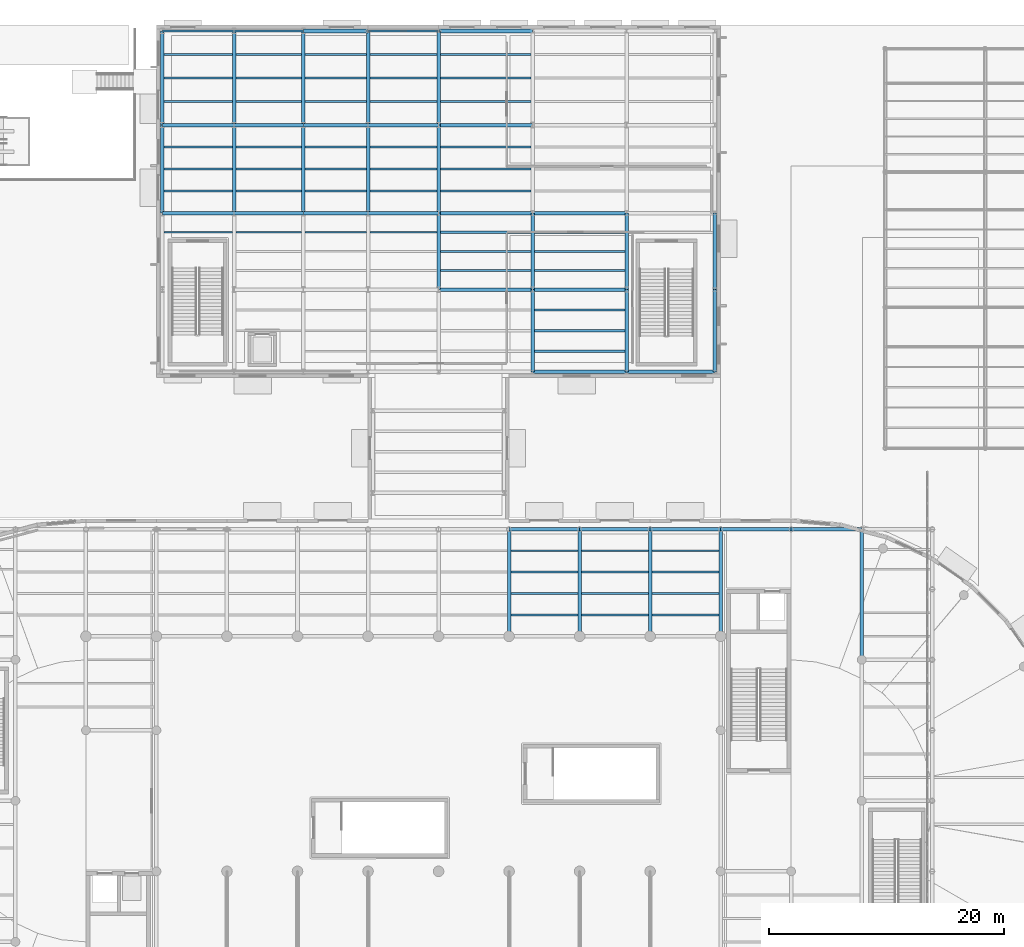
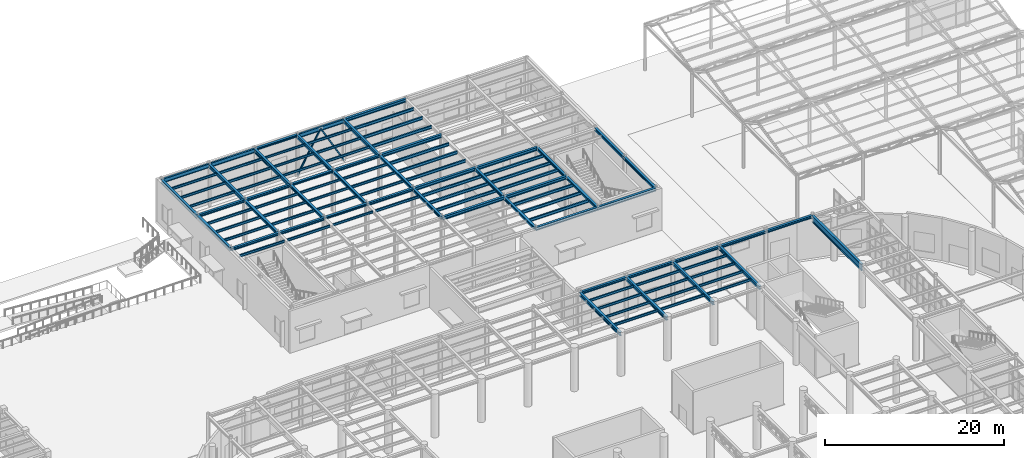
# One storey, part 33 of 118: 102 beams, 2 members.
"""IFC4 building model written with IfcOpenShell, lengths in metres."""

from ifc_helpers import new_model, si_unit, direction, frame, origin, origin_2d, place, context, subcontext, project, spatial, hollow_rectangle, i_section, extrude, material, material_profile, profile_set, type_object, element, save


model = new_model("IFC4")

# Units and contexts
model_context = context("Model", 3, precision=1e-05, world=origin(), true_north=direction((0.0, 1.0)))
body_context = subcontext(model_context, "Body", "Model", "MODEL_VIEW")
ifc_project = project(units=[si_unit("LENGTHUNIT", "METRE"), si_unit("AREAUNIT", "SQUARE_METRE"), si_unit("VOLUMEUNIT", "CUBIC_METRE"), si_unit("PLANEANGLEUNIT", "RADIAN"), si_unit("MASSUNIT", "GRAM", prefix="KILO")], contexts=[model_context])

# Site, building, storey
site_placement = place(None, origin())
site = spatial("IfcSite", under=ifc_project, at=site_placement, CompositionType="ELEMENT")
building_placement = place(site_placement, origin())
building = spatial("IfcBuilding", under=site, at=building_placement, Name="Kolvaren Corner Interchange", CompositionType="ELEMENT")
storey_placement = place(building_placement, origin())
storey = spatial("IfcBuildingStorey", under=building, at=storey_placement, Name="L01", CompositionType="ELEMENT", Elevation=0.0)

# Beams
ifc_material_1 = material(Name="Steel S355", Category="steel")
ifc_material_profile_1 = material_profile(ifc_material_1, i_section(OverallWidth=0.300048828125, OverallDepth=0.2900390625, WebThickness=0.008544921875, FlangeThickness=0.013916015625, FilletRadius=0.027099609375, at=origin_2d()), Name="HEA 300")
ifc_profile_set_1 = profile_set([ifc_material_profile_1], Name="Steel S355")
beam_type_1 = type_object("IfcBeamType", Name="BM-HEA300", PredefinedType="BEAM", material=ifc_profile_set_1)
for number, where, z_axis, x_axis, name in (
    (1, (78.5, 98.0, 5.594970703125), (1.0, 0.0, 0.0), (0.0, 1.0, 0.0), "Storey L01 Grid X Primary Girder 0429"),
    (2, (78.5, 105.5, 5.594970703125), (1.0, 0.0, 0.0), (0.0, 1.0, 0.0), "Storey L01 Grid X Primary Girder 0436"),
    (3, (78.5, 113.5, 5.594970703125), (1.0, 0.0, 0.0), (0.0, 1.0, 0.0), "Storey L01 Grid X Primary Girder 0443"),
):
    element("IfcBeam", number, at=place(storey_placement, frame(where, z_axis=z_axis, x_axis=x_axis)), inside=storey, type_object=beam_type_1, Name=name, PredefinedType="BEAM", context=body_context, shape_type="SweptSolid", body=[
        extrude(i_section(OverallWidth=0.300048828125, OverallDepth=0.2900390625, WebThickness=0.008544921875, FlangeThickness=0.013916015625, FilletRadius=0.027099609375, at=origin_2d()), origin(), (0.0, 0.0, 1.0), 5.5),
    ])
ifc_material_2 = material(Name="Steel S355", Category="steel")
ifc_material_profile_2 = material_profile(ifc_material_2, i_section(OverallWidth=0.300048828125, OverallDepth=0.35009765625, WebThickness=0.010009765625, FlangeThickness=0.017578125, FilletRadius=0.027099609375, at=origin_2d()), Name="HEA 360")
ifc_profile_set_2 = profile_set([ifc_material_profile_2], Name="Steel S355")
beam_type_2 = type_object("IfcBeamType", Name="BM-HEA360", PredefinedType="BEAM", material=ifc_profile_set_2)
for number, where, z_axis, x_axis, name in (
    (4, (96.0, 71.10009765625, 5.574951171875), (1.0, 0.0, 0.0), (0.0, 1.0, 0.0), "Storey L01 Grid X Primary Girder 0289"),
    (5, (102.0, 71.10009765625, 5.574951171875), (1.0, 0.0, 0.0), (0.0, 1.0, 0.0), "Storey L01 Grid X Primary Girder 0290"),
    (6, (108.0, 71.10009765625, 5.574951171875), (1.0, 0.0, 0.0), (0.0, 1.0, 0.0), "Storey L01 Grid X Primary Girder 0291"),
    (7, (114.0, 71.10009765625, 5.574951171875), (1.0, 0.0, 0.0), (0.0, 1.0, 0.0), "Storey L01 Grid X Primary Girder 0292"),
    (8, (120.0, 71.10009765625, 5.574951171875), (1.0, 0.0, 0.0), (0.0, 1.0, 0.0), "Storey L01 Grid X Primary Girder 0293"),
):
    element("IfcBeam", number, at=place(storey_placement, frame(where, z_axis=z_axis, x_axis=x_axis)), inside=storey, type_object=beam_type_2, Name=name, PredefinedType="BEAM", context=body_context, shape_type="SweptSolid", body=[
        extrude(i_section(OverallWidth=0.300048828125, OverallDepth=0.35009765625, WebThickness=0.010009765625, FlangeThickness=0.017578125, FilletRadius=0.027099609375, at=origin_2d()), origin(), (0.0, 0.0, 1.0), 6.0),
    ])
beam_1_placement = place(storey_placement, frame((66.5, 98.0, 5.56494140625), z_axis=(1.0, 0.0, 0.0), x_axis=(0.0, 1.0, 0.0)))
element("IfcBeam", 9, at=beam_1_placement, inside=storey, type_object=beam_type_2, Name="Storey L01 Grid X Primary Girder 0427", PredefinedType="BEAM", context=body_context, shape_type="SweptSolid", body=[
    extrude(i_section(OverallWidth=0.300048828125, OverallDepth=0.35009765625, WebThickness=0.010009765625, FlangeThickness=0.017578125, FilletRadius=0.027099609375, at=origin_2d()), origin(), (0.0, 0.0, 1.0), 6.10009765625),
])
beam_2_placement = place(storey_placement, frame((72.60009765625, 98.0, 5.56494140625), z_axis=(1.0, 0.0, 0.0), x_axis=(0.0, 1.0, 0.0)))
element("IfcBeam", 10, at=beam_2_placement, inside=storey, type_object=beam_type_2, Name="Storey L01 Grid X Primary Girder 0428", PredefinedType="BEAM", context=body_context, shape_type="SweptSolid", body=[
    extrude(i_section(OverallWidth=0.300048828125, OverallDepth=0.35009765625, WebThickness=0.010009765625, FlangeThickness=0.017578125, FilletRadius=0.027099609375, at=origin_2d()), origin(), (0.0, 0.0, 1.0), 5.89990234375),
])
beam_3_placement = place(storey_placement, frame((84.0, 98.0, 5.56494140625), z_axis=(1.0, 0.0, 0.0), x_axis=(0.0, 1.0, 0.0)))
element("IfcBeam", 11, at=beam_3_placement, inside=storey, type_object=beam_type_2, Name="Storey L01 Grid X Primary Girder 0430", PredefinedType="BEAM", context=body_context, shape_type="SweptSolid", body=[
    extrude(i_section(OverallWidth=0.300048828125, OverallDepth=0.35009765625, WebThickness=0.010009765625, FlangeThickness=0.017578125, FilletRadius=0.027099609375, at=origin_2d()), origin(), (0.0, 0.0, 1.0), 6.0),
])
beam_4_placement = place(storey_placement, frame((66.5, 105.5, 5.56494140625), z_axis=(1.0, 0.0, 0.0), x_axis=(0.0, 1.0, 0.0)))
element("IfcBeam", 12, at=beam_4_placement, inside=storey, type_object=beam_type_2, Name="Storey L01 Grid X Primary Girder 0434", PredefinedType="BEAM", context=body_context, shape_type="SweptSolid", body=[
    extrude(i_section(OverallWidth=0.300048828125, OverallDepth=0.35009765625, WebThickness=0.010009765625, FlangeThickness=0.017578125, FilletRadius=0.027099609375, at=origin_2d()), origin(), (0.0, 0.0, 1.0), 6.10009765625),
])
beam_5_placement = place(storey_placement, frame((72.60009765625, 105.5, 5.56494140625), z_axis=(1.0, 0.0, 0.0), x_axis=(0.0, 1.0, 0.0)))
element("IfcBeam", 13, at=beam_5_placement, inside=storey, type_object=beam_type_2, Name="Storey L01 Grid X Primary Girder 0435", PredefinedType="BEAM", context=body_context, shape_type="SweptSolid", body=[
    extrude(i_section(OverallWidth=0.300048828125, OverallDepth=0.35009765625, WebThickness=0.010009765625, FlangeThickness=0.017578125, FilletRadius=0.027099609375, at=origin_2d()), origin(), (0.0, 0.0, 1.0), 5.89990234375),
])
beam_6_placement = place(storey_placement, frame((84.0, 105.5, 5.56494140625), z_axis=(1.0, 0.0, 0.0), x_axis=(0.0, 1.0, 0.0)))
element("IfcBeam", 14, at=beam_6_placement, inside=storey, type_object=beam_type_2, Name="Storey L01 Grid X Primary Girder 0437", PredefinedType="BEAM", context=body_context, shape_type="SweptSolid", body=[
    extrude(i_section(OverallWidth=0.300048828125, OverallDepth=0.35009765625, WebThickness=0.010009765625, FlangeThickness=0.017578125, FilletRadius=0.027099609375, at=origin_2d()), origin(), (0.0, 0.0, 1.0), 6.0),
])
ifc_material_3 = material(Name="Steel S355", Category="steel")
ifc_material_profile_3 = material_profile(ifc_material_3, i_section(OverallWidth=0.300048828125, OverallDepth=0.389892578125, WebThickness=0.010986328125, FlangeThickness=0.01904296875, FilletRadius=0.027099609375, at=origin_2d()), Name="HEA 400")
ifc_profile_set_3 = profile_set([ifc_material_profile_3], Name="Steel S355")
beam_type_3 = type_object("IfcBeamType", Name="BM-HEA400", PredefinedType="BEAM", material=ifc_profile_set_3)
for number, where, z_axis, x_axis, name in (
    (15, (66.5, 98.0, 5.544921875), (0.0, 1.0, 0.0), (-1.0, 0.0, 0.0), "Storey L01 Grid Y Primary Girder 0496"),
    (16, (72.60009765625, 98.0, 5.544921875), (0.0, 1.0, 0.0), (-1.0, 0.0, 0.0), "Storey L01 Grid Y Primary Girder 0500"),
    (17, (78.5, 98.0, 5.544921875), (0.0, 1.0, 0.0), (-1.0, 0.0, 0.0), "Storey L01 Grid Y Primary Girder 0504"),
    (18, (84.0, 98.0, 5.544921875), (0.0, 1.0, 0.0), (-1.0, 0.0, 0.0), "Storey L01 Grid Y Primary Girder 0508"),
):
    element("IfcBeam", number, at=place(storey_placement, frame(where, z_axis=z_axis, x_axis=x_axis)), inside=storey, type_object=beam_type_3, Name=name, PredefinedType="BEAM", context=body_context, shape_type="SweptSolid", body=[
        extrude(i_section(OverallWidth=0.300048828125, OverallDepth=0.389892578125, WebThickness=0.010986328125, FlangeThickness=0.01904296875, FilletRadius=0.027099609375, at=origin_2d()), origin(), (0.0, 0.0, 1.0), 7.5),
    ])
beam_7_placement = place(storey_placement, frame((90.0, 91.5, 5.544921875), z_axis=(0.0, 1.0, 0.0), x_axis=(-1.0, 0.0, 0.0)))
element("IfcBeam", 19, at=beam_7_placement, inside=storey, type_object=beam_type_3, Name="Storey L01 Grid Y Primary Girder 0512", PredefinedType="BEAM", context=body_context, shape_type="SweptSolid", body=[
    extrude(i_section(OverallWidth=0.300048828125, OverallDepth=0.389892578125, WebThickness=0.010986328125, FlangeThickness=0.01904296875, FilletRadius=0.027099609375, at=origin_2d()), origin(), (0.0, 0.0, 1.0), 6.5),
])
beam_8_placement = place(storey_placement, frame((90.0, 98.0, 5.544921875), z_axis=(0.0, 1.0, 0.0), x_axis=(-1.0, 0.0, 0.0)))
element("IfcBeam", 20, at=beam_8_placement, inside=storey, type_object=beam_type_3, Name="Storey L01 Grid Y Primary Girder 0513", PredefinedType="BEAM", context=body_context, shape_type="SweptSolid", body=[
    extrude(i_section(OverallWidth=0.300048828125, OverallDepth=0.389892578125, WebThickness=0.010986328125, FlangeThickness=0.01904296875, FilletRadius=0.027099609375, at=origin_2d()), origin(), (0.0, 0.0, 1.0), 7.5),
])
beam_9_placement = place(storey_placement, frame((98.0, 84.5, 5.544921875), z_axis=(0.0, 1.0, 0.0), x_axis=(-1.0, 0.0, 0.0)))
element("IfcBeam", 21, at=beam_9_placement, inside=storey, type_object=beam_type_3, Name="Storey L01 Grid Y Primary Girder 0516", PredefinedType="BEAM", context=body_context, shape_type="SweptSolid", body=[
    extrude(i_section(OverallWidth=0.300048828125, OverallDepth=0.389892578125, WebThickness=0.010986328125, FlangeThickness=0.01904296875, FilletRadius=0.027099609375, at=origin_2d()), origin(), (0.0, 0.0, 1.0), 7.0),
])
beam_10_placement = place(storey_placement, frame((98.0, 91.5, 5.544921875), z_axis=(0.0, 1.0, 0.0), x_axis=(-1.0, 0.0, 0.0)))
element("IfcBeam", 22, at=beam_10_placement, inside=storey, type_object=beam_type_3, Name="Storey L01 Grid Y Primary Girder 0517", PredefinedType="BEAM", context=body_context, shape_type="SweptSolid", body=[
    extrude(i_section(OverallWidth=0.300048828125, OverallDepth=0.389892578125, WebThickness=0.010986328125, FlangeThickness=0.01904296875, FilletRadius=0.027099609375, at=origin_2d()), origin(), (0.0, 0.0, 1.0), 6.5),
])
beam_11_placement = place(storey_placement, frame((106.0, 84.5, 5.544921875), z_axis=(0.0, 1.0, 0.0), x_axis=(-1.0, 0.0, 0.0)))
element("IfcBeam", 23, at=beam_11_placement, inside=storey, type_object=beam_type_3, Name="Storey L01 Grid Y Primary Girder 0520", PredefinedType="BEAM", context=body_context, shape_type="SweptSolid", body=[
    extrude(i_section(OverallWidth=0.300048828125, OverallDepth=0.389892578125, WebThickness=0.010986328125, FlangeThickness=0.01904296875, FilletRadius=0.027099609375, at=origin_2d()), origin(), (0.0, 0.0, 1.0), 7.0),
])
beam_12_placement = place(storey_placement, frame((106.0, 91.5, 5.544921875), z_axis=(0.0, 1.0, 0.0), x_axis=(-1.0, 0.0, 0.0)))
element("IfcBeam", 24, at=beam_12_placement, inside=storey, type_object=beam_type_3, Name="Storey L01 Grid Y Primary Girder 0521", PredefinedType="BEAM", context=body_context, shape_type="SweptSolid", body=[
    extrude(i_section(OverallWidth=0.300048828125, OverallDepth=0.389892578125, WebThickness=0.010986328125, FlangeThickness=0.01904296875, FilletRadius=0.027099609375, at=origin_2d()), origin(), (0.0, 0.0, 1.0), 6.5),
])
beam_13_placement = place(storey_placement, frame((113.5, 84.5, 5.544921875), z_axis=(0.0, 1.0, 0.0), x_axis=(-1.0, 0.0, 0.0)))
element("IfcBeam", 25, at=beam_13_placement, inside=storey, type_object=beam_type_3, Name="Storey L01 Grid Y Primary Girder 0524", PredefinedType="BEAM", context=body_context, shape_type="SweptSolid", body=[
    extrude(i_section(OverallWidth=0.300048828125, OverallDepth=0.389892578125, WebThickness=0.010986328125, FlangeThickness=0.01904296875, FilletRadius=0.027099609375, at=origin_2d()), origin(), (0.0, 0.0, 1.0), 7.0),
])
beam_14_placement = place(storey_placement, frame((113.5, 91.5, 5.544921875), z_axis=(0.0, 1.0, 0.0), x_axis=(-1.0, 0.0, 0.0)))
element("IfcBeam", 26, at=beam_14_placement, inside=storey, type_object=beam_type_3, Name="Storey L01 Grid Y Primary Girder 0525", PredefinedType="BEAM", context=body_context, shape_type="SweptSolid", body=[
    extrude(i_section(OverallWidth=0.300048828125, OverallDepth=0.389892578125, WebThickness=0.010986328125, FlangeThickness=0.01904296875, FilletRadius=0.027099609375, at=origin_2d()), origin(), (0.0, 0.0, 1.0), 6.5),
])
ifc_material_4 = material(Name="Steel S355", Category="steel")
ifc_material_profile_4 = material_profile(ifc_material_4, i_section(OverallWidth=0.300048828125, OverallDepth=0.43994140625, WebThickness=0.011474609375, FlangeThickness=0.02099609375, FilletRadius=0.027099609375, at=origin_2d()), Name="HEA 450")
ifc_profile_set_4 = profile_set([ifc_material_profile_4], Name="Steel S355")
beam_type_4 = type_object("IfcBeamType", Name="BM-HEA450", PredefinedType="BEAM", material=ifc_profile_set_4)
beam_15_placement = place(storey_placement, frame((98.0, 84.5, 5.52001953125), z_axis=(1.0, 0.0, 0.0), x_axis=(0.0, 1.0, 0.0)))
element("IfcBeam", 27, at=beam_15_placement, inside=storey, type_object=beam_type_4, Name="Storey L01 Grid X Primary Girder 0420", PredefinedType="BEAM", context=body_context, shape_type="SweptSolid", body=[
    extrude(i_section(OverallWidth=0.300048828125, OverallDepth=0.43994140625, WebThickness=0.011474609375, FlangeThickness=0.02099609375, FilletRadius=0.027099609375, at=origin_2d()), origin(), (0.0, 0.0, 1.0), 8.0),
])
beam_16_placement = place(storey_placement, frame((106.0, 84.5, 5.52001953125), z_axis=(1.0, 0.0, 0.0), x_axis=(0.0, 1.0, 0.0)))
element("IfcBeam", 28, at=beam_16_placement, inside=storey, type_object=beam_type_4, Name="Storey L01 Grid X Primary Girder 0421", PredefinedType="BEAM", context=body_context, shape_type="SweptSolid", body=[
    extrude(i_section(OverallWidth=0.300048828125, OverallDepth=0.43994140625, WebThickness=0.011474609375, FlangeThickness=0.02099609375, FilletRadius=0.027099609375, at=origin_2d()), origin(), (0.0, 0.0, 1.0), 7.5),
])
for number, where, z_axis, x_axis, name in (
    (29, (90.0, 91.5, 5.52001953125), (1.0, 0.0, 0.0), (0.0, 1.0, 0.0), "Storey L01 Grid X Primary Girder 0425"),
    (30, (98.0, 91.5, 5.52001953125), (1.0, 0.0, 0.0), (0.0, 1.0, 0.0), "Storey L01 Grid X Primary Girder 0426"),
    (31, (90.0, 98.0, 5.52001953125), (1.0, 0.0, 0.0), (0.0, 1.0, 0.0), "Storey L01 Grid X Primary Girder 0431"),
    (32, (98.0, 98.0, 5.52001953125), (1.0, 0.0, 0.0), (0.0, 1.0, 0.0), "Storey L01 Grid X Primary Girder 0432"),
    (33, (90.0, 105.5, 5.52001953125), (1.0, 0.0, 0.0), (0.0, 1.0, 0.0), "Storey L01 Grid X Primary Girder 0438"),
    (34, (90.0, 113.5, 5.52001953125), (1.0, 0.0, 0.0), (0.0, 1.0, 0.0), "Storey L01 Grid X Primary Girder 0445"),
):
    element("IfcBeam", number, at=place(storey_placement, frame(where, z_axis=z_axis, x_axis=x_axis)), inside=storey, type_object=beam_type_4, Name=name, PredefinedType="BEAM", context=body_context, shape_type="SweptSolid", body=[
        extrude(i_section(OverallWidth=0.300048828125, OverallDepth=0.43994140625, WebThickness=0.011474609375, FlangeThickness=0.02099609375, FilletRadius=0.027099609375, at=origin_2d()), origin(), (0.0, 0.0, 1.0), 8.0),
    ])
ifc_material_5 = material(Name="Steel S355", Category="steel")
ifc_material_profile_5 = material_profile(ifc_material_5, i_section(OverallWidth=0.300048828125, OverallDepth=0.489990234375, WebThickness=0.011962890625, FlangeThickness=0.02294921875, FilletRadius=0.027099609375, at=origin_2d()), Name="HEA 500")
ifc_profile_set_5 = profile_set([ifc_material_profile_5], Name="Steel S355")
beam_type_5 = type_object("IfcBeamType", Name="BM-HEA500", PredefinedType="BEAM", material=ifc_profile_set_5)
for number, where, z_axis, x_axis, name in (
    (35, (96.0, 62.0, 5.5048828125), (0.0, 1.0, 0.0), (-1.0, 0.0, 0.0), "Storey L01 Grid Y Primary Girder 0355"),
    (36, (102.0, 62.0, 5.5048828125), (0.0, 1.0, 0.0), (-1.0, 0.0, 0.0), "Storey L01 Grid Y Primary Girder 0356"),
    (37, (108.0, 62.0, 5.5048828125), (0.0, 1.0, 0.0), (-1.0, 0.0, 0.0), "Storey L01 Grid Y Primary Girder 0357"),
    (38, (114.0, 62.0, 5.5048828125), (0.0, 1.0, 0.0), (-1.0, 0.0, 0.0), "Storey L01 Grid Y Primary Girder 0362"),
):
    element("IfcBeam", number, at=place(storey_placement, frame(where, z_axis=z_axis, x_axis=x_axis)), inside=storey, type_object=beam_type_5, Name=name, PredefinedType="BEAM", context=body_context, shape_type="SweptSolid", body=[
        extrude(i_section(OverallWidth=0.300048828125, OverallDepth=0.489990234375, WebThickness=0.011962890625, FlangeThickness=0.02294921875, FilletRadius=0.027099609375, at=origin_2d()), origin(), (0.0, 0.0, 1.0), 9.10009765625),
    ])
for number, where, z_axis, x_axis, name in (
    (39, (66.5, 105.5, 5.4951171875), (0.0, 1.0, 0.0), (-1.0, 0.0, 0.0), "Storey L01 Grid Y Primary Girder 0497"),
    (40, (72.60009765625, 105.5, 5.4951171875), (0.0, 1.0, 0.0), (-1.0, 0.0, 0.0), "Storey L01 Grid Y Primary Girder 0501"),
    (41, (78.5, 105.5, 5.4951171875), (0.0, 1.0, 0.0), (-1.0, 0.0, 0.0), "Storey L01 Grid Y Primary Girder 0505"),
    (42, (84.0, 105.5, 5.4951171875), (0.0, 1.0, 0.0), (-1.0, 0.0, 0.0), "Storey L01 Grid Y Primary Girder 0509"),
    (43, (90.0, 105.5, 5.4951171875), (0.0, 1.0, 0.0), (-1.0, 0.0, 0.0), "Storey L01 Grid Y Primary Girder 0514"),
):
    element("IfcBeam", number, at=place(storey_placement, frame(where, z_axis=z_axis, x_axis=x_axis)), inside=storey, type_object=beam_type_5, Name=name, PredefinedType="BEAM", context=body_context, shape_type="SweptSolid", body=[
        extrude(i_section(OverallWidth=0.300048828125, OverallDepth=0.489990234375, WebThickness=0.011962890625, FlangeThickness=0.02294921875, FilletRadius=0.027099609375, at=origin_2d()), origin(), (0.0, 0.0, 1.0), 8.0),
    ])
ifc_material_6 = material(Name="Steel S355", Category="steel")
ifc_material_profile_6 = material_profile(ifc_material_6, i_section(OverallWidth=0.300048828125, OverallDepth=0.89990234375, WebThickness=0.0185546875, FlangeThickness=0.034912109375, FilletRadius=0.030029296875, at=origin_2d()), Name="HEB 900")
ifc_profile_set_6 = profile_set([ifc_material_profile_6], Name="Steel S355")
beam_type_6 = type_object("IfcBeamType", Name="BM-HEB900", PredefinedType="BEAM", material=ifc_profile_set_6)
beam_17_placement = place(storey_placement, frame((126.0, 60.0, 5.300048828125), z_axis=(0.0, 1.0, 0.0), x_axis=(-1.0, 0.0, 0.0)))
element("IfcBeam", 44, at=beam_17_placement, inside=storey, type_object=beam_type_6, Name="Storey L01 Grid Y Primary Girder 0368", PredefinedType="BEAM", context=body_context, shape_type="SweptSolid", body=[
    extrude(i_section(OverallWidth=0.300048828125, OverallDepth=0.89990234375, WebThickness=0.0185546875, FlangeThickness=0.034912109375, FilletRadius=0.030029296875, at=origin_2d()), origin(), (0.0, 0.0, 1.0), 11.10009765625),
])
ifc_material_7 = material(Name="Steel S355", Category="steel")
ifc_material_profile_7 = material_profile(ifc_material_7, i_section(OverallWidth=0.14990234375, OverallDepth=0.300048828125, WebThickness=0.007080078125, FlangeThickness=0.0107421875, FilletRadius=0.014892578125, at=origin_2d()), Name="IPE 300")
ifc_profile_set_7 = profile_set([ifc_material_profile_7], Name="Steel S355")
beam_type_7 = type_object("IfcBeamType", Name="JS-IPE300", PredefinedType="JOIST", material=ifc_profile_set_7)
for number, where, z_axis, x_axis, name in (
    (45, (78.64990234375, 96.375, 5.590087890625), (1.0, 0.0, 0.0), (0.0, 1.0, 0.0), "Storey L01 Composite Floor Joist 0458"),
    (46, (78.64990234375, 99.875, 5.590087890625), (1.0, 0.0, 0.0), (0.0, 1.0, 0.0), "Storey L01 Composite Floor Joist 0459"),
    (47, (78.64990234375, 101.75, 5.590087890625), (1.0, 0.0, 0.0), (0.0, 1.0, 0.0), "Storey L01 Composite Floor Joist 0460"),
    (48, (78.64990234375, 103.625, 5.590087890625), (1.0, 0.0, 0.0), (0.0, 1.0, 0.0), "Storey L01 Composite Floor Joist 0461"),
    (49, (78.64990234375, 107.5, 5.590087890625), (1.0, 0.0, 0.0), (0.0, 1.0, 0.0), "Storey L01 Composite Floor Joist 0462"),
    (50, (78.64990234375, 109.5, 5.590087890625), (1.0, 0.0, 0.0), (0.0, 1.0, 0.0), "Storey L01 Composite Floor Joist 0463"),
    (51, (78.64990234375, 111.5, 5.590087890625), (1.0, 0.0, 0.0), (0.0, 1.0, 0.0), "Storey L01 Composite Floor Joist 0464"),
):
    element("IfcBeam", number, at=place(storey_placement, frame(where, z_axis=z_axis, x_axis=x_axis)), inside=storey, type_object=beam_type_7, Name=name, PredefinedType="JOIST", context=body_context, shape_type="SweptSolid", body=[
        extrude(i_section(OverallWidth=0.14990234375, OverallDepth=0.300048828125, WebThickness=0.007080078125, FlangeThickness=0.0107421875, FilletRadius=0.014892578125, at=origin_2d()), origin(), (0.0, 0.0, 1.0), 5.2001953125),
    ])
ifc_material_8 = material(Name="Steel S355", Category="steel")
ifc_material_profile_8 = material_profile(ifc_material_8, i_section(OverallWidth=0.159912109375, OverallDepth=0.330078125, WebThickness=0.007568359375, FlangeThickness=0.011474609375, FilletRadius=0.01806640625, at=origin_2d()), Name="IPE 330")
ifc_profile_set_8 = profile_set([ifc_material_profile_8], Name="Steel S355")
beam_type_8 = type_object("IfcBeamType", Name="JS-IPE330", PredefinedType="JOIST", material=ifc_profile_set_8)
for number, where, z_axis, x_axis, name in (
    (52, (96.14990234375, 63.820068359375, 5.5849609375), (1.0, 0.0, 0.0), (0.0, 1.0, 0.0), "Storey L01 Composite Floor Joist 0349"),
    (53, (96.14990234375, 65.639892578125, 5.5849609375), (1.0, 0.0, 0.0), (0.0, 1.0, 0.0), "Storey L01 Composite Floor Joist 0350"),
    (54, (96.14990234375, 67.4599609375, 5.5849609375), (1.0, 0.0, 0.0), (0.0, 1.0, 0.0), "Storey L01 Composite Floor Joist 0351"),
    (55, (96.14990234375, 69.280029296875, 5.5849609375), (1.0, 0.0, 0.0), (0.0, 1.0, 0.0), "Storey L01 Composite Floor Joist 0352"),
    (56, (102.14990234375, 63.820068359375, 5.5849609375), (1.0, 0.0, 0.0), (0.0, 1.0, 0.0), "Storey L01 Composite Floor Joist 0353"),
    (57, (102.14990234375, 65.639892578125, 5.5849609375), (1.0, 0.0, 0.0), (0.0, 1.0, 0.0), "Storey L01 Composite Floor Joist 0354"),
    (58, (102.14990234375, 67.4599609375, 5.5849609375), (1.0, 0.0, 0.0), (0.0, 1.0, 0.0), "Storey L01 Composite Floor Joist 0355"),
    (59, (102.14990234375, 69.280029296875, 5.5849609375), (1.0, 0.0, 0.0), (0.0, 1.0, 0.0), "Storey L01 Composite Floor Joist 0356"),
    (60, (108.14990234375, 63.820068359375, 5.5849609375), (1.0, 0.0, 0.0), (0.0, 1.0, 0.0), "Storey L01 Composite Floor Joist 0357"),
    (61, (108.14990234375, 65.639892578125, 5.5849609375), (1.0, 0.0, 0.0), (0.0, 1.0, 0.0), "Storey L01 Composite Floor Joist 0358"),
    (62, (108.14990234375, 67.4599609375, 5.5849609375), (1.0, 0.0, 0.0), (0.0, 1.0, 0.0), "Storey L01 Composite Floor Joist 0359"),
    (63, (108.14990234375, 69.280029296875, 5.5849609375), (1.0, 0.0, 0.0), (0.0, 1.0, 0.0), "Storey L01 Composite Floor Joist 0360"),
):
    element("IfcBeam", number, at=place(storey_placement, frame(where, z_axis=z_axis, x_axis=x_axis)), inside=storey, type_object=beam_type_8, Name=name, PredefinedType="JOIST", context=body_context, shape_type="SweptSolid", body=[
        extrude(i_section(OverallWidth=0.159912109375, OverallDepth=0.330078125, WebThickness=0.007568359375, FlangeThickness=0.011474609375, FilletRadius=0.01806640625, at=origin_2d()), origin(), (0.0, 0.0, 1.0), 5.7001953125),
    ])
for number, where, z_axis, x_axis, name in (
    (64, (66.64990234375, 96.375, 5.574951171875), (1.0, 0.0, 0.0), (0.0, 1.0, 0.0), "Storey L01 Composite Floor Joist 0435"),
    (65, (66.64990234375, 99.875, 5.574951171875), (1.0, 0.0, 0.0), (0.0, 1.0, 0.0), "Storey L01 Composite Floor Joist 0436"),
    (66, (66.64990234375, 101.75, 5.574951171875), (1.0, 0.0, 0.0), (0.0, 1.0, 0.0), "Storey L01 Composite Floor Joist 0437"),
    (67, (66.64990234375, 103.625, 5.574951171875), (1.0, 0.0, 0.0), (0.0, 1.0, 0.0), "Storey L01 Composite Floor Joist 0438"),
    (68, (66.64990234375, 107.5, 5.574951171875), (1.0, 0.0, 0.0), (0.0, 1.0, 0.0), "Storey L01 Composite Floor Joist 0439"),
    (69, (66.64990234375, 109.5, 5.574951171875), (1.0, 0.0, 0.0), (0.0, 1.0, 0.0), "Storey L01 Composite Floor Joist 0440"),
    (70, (66.64990234375, 111.5, 5.574951171875), (1.0, 0.0, 0.0), (0.0, 1.0, 0.0), "Storey L01 Composite Floor Joist 0441"),
):
    element("IfcBeam", number, at=place(storey_placement, frame(where, z_axis=z_axis, x_axis=x_axis)), inside=storey, type_object=beam_type_8, Name=name, PredefinedType="JOIST", context=body_context, shape_type="SweptSolid", body=[
        extrude(i_section(OverallWidth=0.159912109375, OverallDepth=0.330078125, WebThickness=0.007568359375, FlangeThickness=0.011474609375, FilletRadius=0.01806640625, at=origin_2d()), origin(), (0.0, 0.0, 1.0), 5.800048828125),
    ])
for number, where, z_axis, x_axis, name in (
    (71, (72.75, 96.375, 5.574951171875), (1.0, 0.0, 0.0), (0.0, 1.0, 0.0), "Storey L01 Composite Floor Joist 0446"),
    (72, (72.75, 99.875, 5.574951171875), (1.0, 0.0, 0.0), (0.0, 1.0, 0.0), "Storey L01 Composite Floor Joist 0447"),
    (73, (72.75, 101.75, 5.574951171875), (1.0, 0.0, 0.0), (0.0, 1.0, 0.0), "Storey L01 Composite Floor Joist 0448"),
    (74, (72.75, 103.625, 5.574951171875), (1.0, 0.0, 0.0), (0.0, 1.0, 0.0), "Storey L01 Composite Floor Joist 0449"),
    (75, (72.75, 107.5, 5.574951171875), (1.0, 0.0, 0.0), (0.0, 1.0, 0.0), "Storey L01 Composite Floor Joist 0450"),
    (76, (72.75, 109.5, 5.574951171875), (1.0, 0.0, 0.0), (0.0, 1.0, 0.0), "Storey L01 Composite Floor Joist 0451"),
    (77, (72.75, 111.5, 5.574951171875), (1.0, 0.0, 0.0), (0.0, 1.0, 0.0), "Storey L01 Composite Floor Joist 0452"),
):
    element("IfcBeam", number, at=place(storey_placement, frame(where, z_axis=z_axis, x_axis=x_axis)), inside=storey, type_object=beam_type_8, Name=name, PredefinedType="JOIST", context=body_context, shape_type="SweptSolid", body=[
        extrude(i_section(OverallWidth=0.159912109375, OverallDepth=0.330078125, WebThickness=0.007568359375, FlangeThickness=0.011474609375, FilletRadius=0.01806640625, at=origin_2d()), origin(), (0.0, 0.0, 1.0), 5.60009765625),
    ])
for number, where, z_axis, x_axis, name in (
    (78, (84.14990234375, 96.375, 5.574951171875), (1.0, 0.0, 0.0), (0.0, 1.0, 0.0), "Storey L01 Composite Floor Joist 0470"),
    (79, (84.14990234375, 99.875, 5.574951171875), (1.0, 0.0, 0.0), (0.0, 1.0, 0.0), "Storey L01 Composite Floor Joist 0471"),
    (80, (84.14990234375, 101.75, 5.574951171875), (1.0, 0.0, 0.0), (0.0, 1.0, 0.0), "Storey L01 Composite Floor Joist 0472"),
    (81, (84.14990234375, 103.625, 5.574951171875), (1.0, 0.0, 0.0), (0.0, 1.0, 0.0), "Storey L01 Composite Floor Joist 0473"),
    (82, (84.14990234375, 107.5, 5.574951171875), (1.0, 0.0, 0.0), (0.0, 1.0, 0.0), "Storey L01 Composite Floor Joist 0474"),
    (83, (84.14990234375, 109.5, 5.574951171875), (1.0, 0.0, 0.0), (0.0, 1.0, 0.0), "Storey L01 Composite Floor Joist 0475"),
    (84, (84.14990234375, 111.5, 5.574951171875), (1.0, 0.0, 0.0), (0.0, 1.0, 0.0), "Storey L01 Composite Floor Joist 0476"),
):
    element("IfcBeam", number, at=place(storey_placement, frame(where, z_axis=z_axis, x_axis=x_axis)), inside=storey, type_object=beam_type_8, Name=name, PredefinedType="JOIST", context=body_context, shape_type="SweptSolid", body=[
        extrude(i_section(OverallWidth=0.159912109375, OverallDepth=0.330078125, WebThickness=0.007568359375, FlangeThickness=0.011474609375, FilletRadius=0.01806640625, at=origin_2d()), origin(), (0.0, 0.0, 1.0), 5.7001953125),
    ])
ifc_material_9 = material(Name="Steel S355", Category="steel")
ifc_material_profile_9 = material_profile(ifc_material_9, i_section(OverallWidth=0.179931640625, OverallDepth=0.39990234375, WebThickness=0.008544921875, FlangeThickness=0.013427734375, FilletRadius=0.02099609375, at=origin_2d()), Name="IPE 400")
ifc_profile_set_9 = profile_set([ifc_material_profile_9], Name="Steel S355")
beam_type_9 = type_object("IfcBeamType", Name="JS-IPE400", PredefinedType="JOIST", material=ifc_profile_set_9)
for number, where, z_axis, x_axis, name in (
    (85, (90.14990234375, 93.125, 5.5400390625), (1.0, 0.0, 0.0), (0.0, 1.0, 0.0), "Storey L01 Composite Floor Joist 0483"),
    (86, (90.14990234375, 94.75, 5.5400390625), (1.0, 0.0, 0.0), (0.0, 1.0, 0.0), "Storey L01 Composite Floor Joist 0484"),
    (87, (90.14990234375, 96.375, 5.5400390625), (1.0, 0.0, 0.0), (0.0, 1.0, 0.0), "Storey L01 Composite Floor Joist 0485"),
    (88, (90.14990234375, 99.875, 5.5400390625), (1.0, 0.0, 0.0), (0.0, 1.0, 0.0), "Storey L01 Composite Floor Joist 0486"),
    (89, (90.14990234375, 101.75, 5.5400390625), (1.0, 0.0, 0.0), (0.0, 1.0, 0.0), "Storey L01 Composite Floor Joist 0487"),
    (90, (90.14990234375, 103.625, 5.5400390625), (1.0, 0.0, 0.0), (0.0, 1.0, 0.0), "Storey L01 Composite Floor Joist 0488"),
    (91, (90.14990234375, 107.5, 5.5400390625), (1.0, 0.0, 0.0), (0.0, 1.0, 0.0), "Storey L01 Composite Floor Joist 0489"),
    (92, (90.14990234375, 109.5, 5.5400390625), (1.0, 0.0, 0.0), (0.0, 1.0, 0.0), "Storey L01 Composite Floor Joist 0490"),
    (93, (90.14990234375, 111.5, 5.5400390625), (1.0, 0.0, 0.0), (0.0, 1.0, 0.0), "Storey L01 Composite Floor Joist 0491"),
    (94, (98.14990234375, 86.25, 5.5400390625), (1.0, 0.0, 0.0), (0.0, 1.0, 0.0), "Storey L01 Composite Floor Joist 0492"),
    (95, (98.14990234375, 88.0, 5.5400390625), (1.0, 0.0, 0.0), (0.0, 1.0, 0.0), "Storey L01 Composite Floor Joist 0493"),
    (96, (98.14990234375, 89.75, 5.5400390625), (1.0, 0.0, 0.0), (0.0, 1.0, 0.0), "Storey L01 Composite Floor Joist 0494"),
    (97, (98.14990234375, 93.125, 5.5400390625), (1.0, 0.0, 0.0), (0.0, 1.0, 0.0), "Storey L01 Composite Floor Joist 0495"),
    (98, (98.14990234375, 94.75, 5.5400390625), (1.0, 0.0, 0.0), (0.0, 1.0, 0.0), "Storey L01 Composite Floor Joist 0496"),
    (99, (98.14990234375, 96.375, 5.5400390625), (1.0, 0.0, 0.0), (0.0, 1.0, 0.0), "Storey L01 Composite Floor Joist 0497"),
):
    element("IfcBeam", number, at=place(storey_placement, frame(where, z_axis=z_axis, x_axis=x_axis)), inside=storey, type_object=beam_type_9, Name=name, PredefinedType="JOIST", context=body_context, shape_type="SweptSolid", body=[
        extrude(i_section(OverallWidth=0.179931640625, OverallDepth=0.39990234375, WebThickness=0.008544921875, FlangeThickness=0.013427734375, FilletRadius=0.02099609375, at=origin_2d()), origin(), (0.0, 0.0, 1.0), 7.7001953125),
    ])

# Members
ifc_material_10 = material(Name="Steel S355", Category="steel")
ifc_material_profile_10 = material_profile(ifc_material_10, hollow_rectangle(XDim=0.179931640625, YDim=0.179931640625, WallThickness=0.010009765625, InnerFilletRadius=0.010009765625, OuterFilletRadius=0.02001953125, at=origin_2d()), Name="SHS 180x180x10.0")
ifc_profile_set_10 = profile_set([ifc_material_profile_10], Name="Steel S355")
member_type = type_object("IfcMemberType", Name="MEM-BR-SHS180", PredefinedType="BRACE", material=ifc_profile_set_10)
for number, where, z_axis, x_axis, name in (
    (100, (84.0, 113.5, 0.1201171875), (0.489449740695, 0.0, 0.872031508223), (0.0, 1.0, 0.0), "Storey L01 Lateral Chevron Steel Brace 10 Left"),
    (101, (90.0, 113.5, 0.1201171875), (-0.489449740695, 0.0, 0.872031508223), (0.0, -1.0, 0.0), "Storey L01 Lateral Chevron Steel Brace 10 Right"),
):
    element("IfcMember", number, at=place(storey_placement, frame(where, z_axis=z_axis, x_axis=x_axis)), inside=storey, type_object=member_type, Name=name, PredefinedType="BRACE", context=body_context, shape_type="SweptSolid", body=[
        extrude(hollow_rectangle(XDim=0.179931640625, YDim=0.179931640625, WallThickness=0.010009765625, InnerFilletRadius=0.010009765625, OuterFilletRadius=0.02001953125, at=origin_2d()), origin(), (0.0, 0.0, 1.0), 6.12939453125),
    ])

# Beams
ifc_material_11 = material(Name="Steel S355", Category="steel")
ifc_material_profile_11 = material_profile(ifc_material_11, i_section(OverallWidth=0.2099609375, OverallDepth=0.550048828125, WebThickness=0.010986328125, FlangeThickness=0.01708984375, FilletRadius=0.02392578125, at=origin_2d()), Name="IPE 550")
ifc_profile_set_11 = profile_set([ifc_material_profile_11], Name="Steel S355")
beam_type_10 = type_object("IfcBeamType", Name="SP-IPE550", PredefinedType="SPANDREL", material=ifc_profile_set_11)
beam_18_placement = place(storey_placement, frame((66.5, 113.5, 5.465087890625), z_axis=(1.0, 0.0, 0.0), x_axis=(0.0, 1.0, 0.0)))
element("IfcBeam", 102, at=beam_18_placement, inside=storey, type_object=beam_type_10, Name="Storey L01 Grid X Primary Girder 0441", PredefinedType="SPANDREL", context=body_context, shape_type="SweptSolid", body=[
    extrude(i_section(OverallWidth=0.2099609375, OverallDepth=0.550048828125, WebThickness=0.010986328125, FlangeThickness=0.01708984375, FilletRadius=0.02392578125, at=origin_2d()), origin(), (0.0, 0.0, 1.0), 6.10009765625),
])
beam_19_placement = place(storey_placement, frame((72.60009765625, 113.5, 5.465087890625), z_axis=(1.0, 0.0, 0.0), x_axis=(0.0, 1.0, 0.0)))
element("IfcBeam", 103, at=beam_19_placement, inside=storey, type_object=beam_type_10, Name="Storey L01 Grid X Primary Girder 0442", PredefinedType="SPANDREL", context=body_context, shape_type="SweptSolid", body=[
    extrude(i_section(OverallWidth=0.2099609375, OverallDepth=0.550048828125, WebThickness=0.010986328125, FlangeThickness=0.01708984375, FilletRadius=0.02392578125, at=origin_2d()), origin(), (0.0, 0.0, 1.0), 5.89990234375),
])
beam_20_placement = place(storey_placement, frame((84.0, 113.5, 5.465087890625), z_axis=(1.0, 0.0, 0.0), x_axis=(0.0, 1.0, 0.0)))
element("IfcBeam", 104, at=beam_20_placement, inside=storey, type_object=beam_type_10, Name="Storey L01 Grid X Primary Girder 0444", PredefinedType="SPANDREL", context=body_context, shape_type="SweptSolid", body=[
    extrude(i_section(OverallWidth=0.2099609375, OverallDepth=0.550048828125, WebThickness=0.010986328125, FlangeThickness=0.01708984375, FilletRadius=0.02392578125, at=origin_2d()), origin(), (0.0, 0.0, 1.0), 6.0),
])

save(model, "model.ifc")
